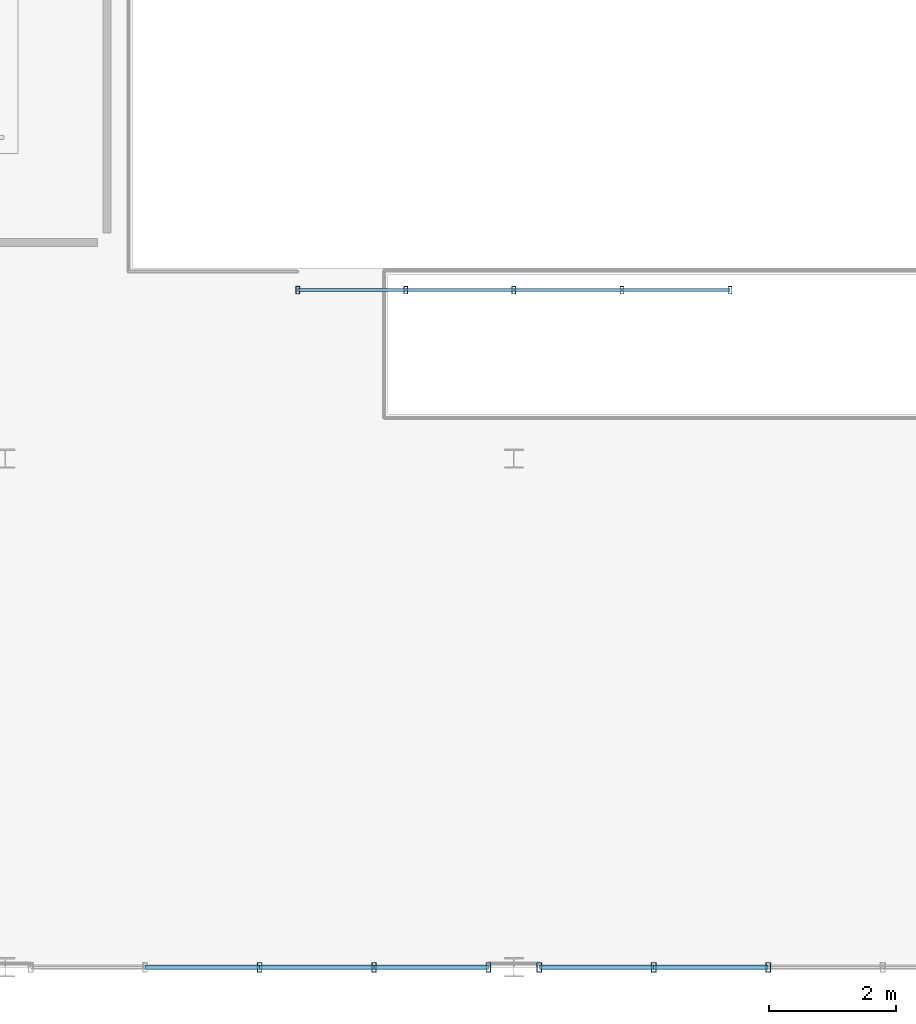
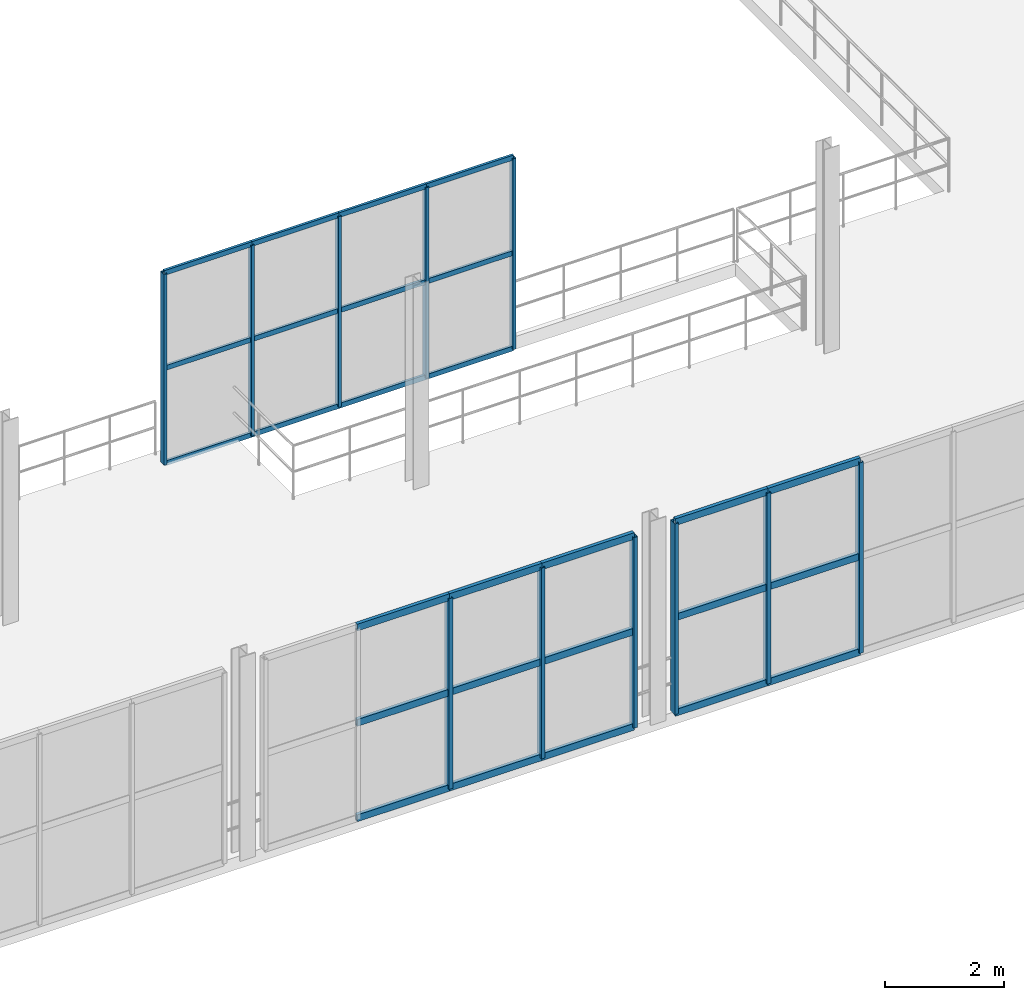
# One storey, part 13 of 67: 38 members, 3 elements without a shape of their own.
"""IFC4 building model written with IfcOpenShell, lengths in metres."""

from ifc_helpers import new_model, si_unit, direction, frame, origin, origin_2d, place, context, subcontext, project, spatial, hollow_rectangle, extrude, material, material_profile, profile_set, type_object, element, aggregate, save


model = new_model("IFC4")

# Units and contexts
model_context = context("Model", 3, precision=1e-05, world=origin(), true_north=direction((0.0, 1.0)))
body_context = subcontext(model_context, "Body", "Model", "MODEL_VIEW")
ifc_project = project(units=[si_unit("LENGTHUNIT", "METRE"), si_unit("AREAUNIT", "SQUARE_METRE"), si_unit("VOLUMEUNIT", "CUBIC_METRE"), si_unit("PLANEANGLEUNIT", "RADIAN"), si_unit("MASSUNIT", "GRAM", prefix="KILO")], contexts=[model_context])

# Site, building, storey
site_placement = place(None, origin())
site = spatial("IfcSite", under=ifc_project, at=site_placement, CompositionType="ELEMENT")
building_placement = place(site_placement, origin())
building = spatial("IfcBuilding", under=site, at=building_placement, Name="Sundkrona Museum", CompositionType="ELEMENT")
storey_placement = place(building_placement, frame((0.0, 0.0, 21.800048828125)))
storey = spatial("IfcBuildingStorey", under=building, at=storey_placement, Name="L04", CompositionType="ELEMENT", Elevation=21.800048828125)

# Curtain wall, members
ifc_material_1 = material(Name="Unitised Aluminium-Steel and Ceramic-Clad Curtain Walling", Category="steel")
curtain_wall_type_1 = type_object("IfcCurtainWallType", Name="CW-IN-68x36", PredefinedType="NOTDEFINED", material=ifc_material_1)
curtain_wall_1_placement = place(storey_placement, origin())
curtain_wall_1 = element("IfcCurtainWall", 1, at=curtain_wall_1_placement, inside=storey, type_object=curtain_wall_type_1, Name="L04 Curtain Wall CW-L04-092", PredefinedType="NOTDEFINED")
ifc_material_2 = material(Name="Aluminium EN AW-6060 T66", Category="aluminium")
ifc_material_profile_1 = material_profile(ifc_material_2, hollow_rectangle(XDim=0.06005859375, YDim=0.1201171875, WallThickness=0.0048828125, at=origin_2d()), Name="RHS 120x60x5.0")
ifc_profile_set_1 = profile_set([ifc_material_profile_1], Name="Aluminium EN AW-6060 T66")
member_type_1 = type_object("IfcMemberType", Name="ML-120", PredefinedType="MULLION", material=ifc_profile_set_1)
member_1_placement = place(storey_placement, frame((92.60009765625, 10.64990234375, -0.004150390625), z_axis=(0.0, 0.0, 1.0), x_axis=(1.0, 0.0, 0.0)))
member_1 = element("IfcMember", 2, at=member_1_placement, type_object=member_type_1, Name="CW-L04-092 Mullion 01", PredefinedType="MULLION", context=body_context, shape_type="SweptSolid", body=[
    extrude(hollow_rectangle(XDim=0.06005859375, YDim=0.1201171875, WallThickness=0.0048828125, at=origin_2d()), origin(), (0.0, 0.0, 1.0), 3.92822265625),
])
member_2_placement = place(storey_placement, frame((94.300048828125, 10.64990234375, -0.004150390625), z_axis=(0.0, 0.0, 1.0), x_axis=(1.0, 0.0, 0.0)))
member_2 = element("IfcMember", 3, at=member_2_placement, type_object=member_type_1, Name="CW-L04-092 Mullion 02", PredefinedType="MULLION", context=body_context, shape_type="SweptSolid", body=[
    extrude(hollow_rectangle(XDim=0.06005859375, YDim=0.1201171875, WallThickness=0.0048828125, at=origin_2d()), origin(), (0.0, 0.0, 1.0), 3.92822265625),
])
member_3_placement = place(storey_placement, frame((96.0, 10.64990234375, -0.004150390625), z_axis=(0.0, 0.0, 1.0), x_axis=(1.0, 0.0, 0.0)))
member_3 = element("IfcMember", 4, at=member_3_placement, type_object=member_type_1, Name="CW-L04-092 Mullion 03", PredefinedType="MULLION", context=body_context, shape_type="SweptSolid", body=[
    extrude(hollow_rectangle(XDim=0.06005859375, YDim=0.1201171875, WallThickness=0.0048828125, at=origin_2d()), origin(), (0.0, 0.0, 1.0), 3.92822265625),
])
member_4_placement = place(storey_placement, frame((97.699951171875, 10.64990234375, -0.004150390625), z_axis=(0.0, 0.0, 1.0), x_axis=(1.0, 0.0, 0.0)))
member_4 = element("IfcMember", 5, at=member_4_placement, type_object=member_type_1, Name="CW-L04-092 Mullion 04", PredefinedType="MULLION", context=body_context, shape_type="SweptSolid", body=[
    extrude(hollow_rectangle(XDim=0.06005859375, YDim=0.1201171875, WallThickness=0.0048828125, at=origin_2d()), origin(), (0.0, 0.0, 1.0), 3.92822265625),
])
member_5_placement = place(storey_placement, frame((99.39990234375, 10.64990234375, -0.004150390625), z_axis=(0.0, 0.0, 1.0), x_axis=(1.0, 0.0, 0.0)))
member_5 = element("IfcMember", 6, at=member_5_placement, type_object=member_type_1, Name="CW-L04-092 Mullion 05", PredefinedType="MULLION", context=body_context, shape_type="SweptSolid", body=[
    extrude(hollow_rectangle(XDim=0.06005859375, YDim=0.1201171875, WallThickness=0.0048828125, at=origin_2d()), origin(), (0.0, 0.0, 1.0), 3.92822265625),
])

curtain_wall_type_2 = type_object("IfcCurtainWallType", Name="CW-AT-72x38", PredefinedType="NOTDEFINED", material=ifc_material_1)
curtain_wall_2_placement = place(storey_placement, origin())
curtain_wall_2 = element("IfcCurtainWall", 7, at=curtain_wall_2_placement, inside=storey, type_object=curtain_wall_type_2, Name="L04 Curtain Wall CW-L04-078", PredefinedType="NOTDEFINED")
ifc_material_profile_2 = material_profile(ifc_material_2, hollow_rectangle(XDim=0.074951171875, YDim=0.14990234375, WallThickness=0.00634765625, at=origin_2d()), Name="RHS 150x75x6.3")
ifc_profile_set_2 = profile_set([ifc_material_profile_2], Name="Aluminium EN AW-6060 T66")
member_type_2 = type_object("IfcMemberType", Name="ML-150", PredefinedType="MULLION", material=ifc_profile_set_2)
member_6_placement = place(storey_placement, frame((92.0, 0.0, -0.004150390625), z_axis=(0.0, 0.0, 1.0), x_axis=(1.0, 0.0, 0.0)))
member_6 = element("IfcMember", 8, at=member_6_placement, type_object=member_type_2, Name="CW-L04-078 Mullion 03", PredefinedType="MULLION", context=body_context, shape_type="SweptSolid", body=[
    extrude(hollow_rectangle(XDim=0.074951171875, YDim=0.14990234375, WallThickness=0.00634765625, at=origin_2d()), origin(), (0.0, 0.0, 1.0), 3.92822265625),
])
member_7_placement = place(storey_placement, frame((93.800048828125, 0.0, -0.004150390625), z_axis=(0.0, 0.0, 1.0), x_axis=(1.0, 0.0, 0.0)))
member_7 = element("IfcMember", 9, at=member_7_placement, type_object=member_type_2, Name="CW-L04-078 Mullion 04", PredefinedType="MULLION", context=body_context, shape_type="SweptSolid", body=[
    extrude(hollow_rectangle(XDim=0.074951171875, YDim=0.14990234375, WallThickness=0.00634765625, at=origin_2d()), origin(), (0.0, 0.0, 1.0), 3.92822265625),
])
member_8_placement = place(storey_placement, frame((95.60009765625, 0.0, -0.004150390625), z_axis=(0.0, 0.0, 1.0), x_axis=(1.0, 0.0, 0.0)))
member_8 = element("IfcMember", 10, at=member_8_placement, type_object=member_type_2, Name="CW-L04-078 Mullion 05", PredefinedType="MULLION", context=body_context, shape_type="SweptSolid", body=[
    extrude(hollow_rectangle(XDim=0.074951171875, YDim=0.14990234375, WallThickness=0.00634765625, at=origin_2d()), origin(), (0.0, 0.0, 1.0), 3.92822265625),
])

curtain_wall_3_placement = place(storey_placement, origin())
curtain_wall_3 = element("IfcCurtainWall", 11, at=curtain_wall_3_placement, inside=storey, type_object=curtain_wall_type_2, Name="L04 Curtain Wall CW-L04-079", PredefinedType="NOTDEFINED")
member_9_placement = place(storey_placement, frame((96.39990234375, 0.0, -0.004150390625), z_axis=(0.0, 0.0, 1.0), x_axis=(1.0, 0.0, 0.0)))
member_9 = element("IfcMember", 12, at=member_9_placement, type_object=member_type_2, Name="CW-L04-079 Mullion 01", PredefinedType="MULLION", context=body_context, shape_type="SweptSolid", body=[
    extrude(hollow_rectangle(XDim=0.074951171875, YDim=0.14990234375, WallThickness=0.00634765625, at=origin_2d()), origin(), (0.0, 0.0, 1.0), 3.92822265625),
])
member_10_placement = place(storey_placement, frame((98.199951171875, 0.0, -0.004150390625), z_axis=(0.0, 0.0, 1.0), x_axis=(1.0, 0.0, 0.0)))
member_10 = element("IfcMember", 13, at=member_10_placement, type_object=member_type_2, Name="CW-L04-079 Mullion 02", PredefinedType="MULLION", context=body_context, shape_type="SweptSolid", body=[
    extrude(hollow_rectangle(XDim=0.074951171875, YDim=0.14990234375, WallThickness=0.00634765625, at=origin_2d()), origin(), (0.0, 0.0, 1.0), 3.92822265625),
])
member_11_placement = place(storey_placement, frame((100.0, 0.0, -0.004150390625), z_axis=(0.0, 0.0, 1.0), x_axis=(1.0, 0.0, 0.0)))
member_11 = element("IfcMember", 14, at=member_11_placement, type_object=member_type_2, Name="CW-L04-079 Mullion 03", PredefinedType="MULLION", context=body_context, shape_type="SweptSolid", body=[
    extrude(hollow_rectangle(XDim=0.074951171875, YDim=0.14990234375, WallThickness=0.00634765625, at=origin_2d()), origin(), (0.0, 0.0, 1.0), 3.92822265625),
])

# Member
ifc_material_profile_3 = material_profile(ifc_material_2, hollow_rectangle(XDim=0.050048828125, YDim=0.10009765625, WallThickness=0.0048828125, at=origin_2d()), Name="RHS 100x50x5.0")
ifc_profile_set_3 = profile_set([ifc_material_profile_3], Name="Aluminium EN AW-6060 T66")
member_type_3 = type_object("IfcMemberType", Name="TR-100", PredefinedType="USERDEFINED", material=ifc_profile_set_3)
member_12_placement = place(storey_placement, frame((92.60009765625, 10.64990234375, -0.004150390625), z_axis=(1.0, 0.0, 0.0), x_axis=(0.0, 1.0, 0.0)))
member_12 = element("IfcMember", 15, at=member_12_placement, type_object=member_type_3, Name="CW-L04-092 Transom 01", ObjectType="TRANSOM", PredefinedType="USERDEFINED", context=body_context, shape_type="SweptSolid", body=[
    extrude(hollow_rectangle(XDim=0.050048828125, YDim=0.10009765625, WallThickness=0.0048828125, at=origin_2d()), origin(), (0.0, 0.0, 1.0), 1.699951171875),
])

member_13_placement = place(storey_placement, frame((92.60009765625, 10.64990234375, 1.9599609375), z_axis=(1.0, 0.0, 0.0), x_axis=(0.0, 1.0, 0.0)))
member_13 = element("IfcMember", 16, at=member_13_placement, type_object=member_type_3, Name="CW-L04-092 Transom 02", ObjectType="TRANSOM", PredefinedType="USERDEFINED", context=body_context, shape_type="SweptSolid", body=[
    extrude(hollow_rectangle(XDim=0.050048828125, YDim=0.10009765625, WallThickness=0.0048828125, at=origin_2d()), origin(), (0.0, 0.0, 1.0), 1.699951171875),
])

member_14_placement = place(storey_placement, frame((92.60009765625, 10.64990234375, 3.924072265625), z_axis=(1.0, 0.0, 0.0), x_axis=(0.0, 1.0, 0.0)))
member_14 = element("IfcMember", 17, at=member_14_placement, type_object=member_type_3, Name="CW-L04-092 Transom 03", ObjectType="TRANSOM", PredefinedType="USERDEFINED", context=body_context, shape_type="SweptSolid", body=[
    extrude(hollow_rectangle(XDim=0.050048828125, YDim=0.10009765625, WallThickness=0.0048828125, at=origin_2d()), origin(), (0.0, 0.0, 1.0), 1.699951171875),
])

member_15_placement = place(storey_placement, frame((94.300048828125, 10.64990234375, -0.004150390625), z_axis=(1.0, 0.0, 0.0), x_axis=(0.0, 1.0, 0.0)))
member_15 = element("IfcMember", 18, at=member_15_placement, type_object=member_type_3, Name="CW-L04-092 Transom 04", ObjectType="TRANSOM", PredefinedType="USERDEFINED", context=body_context, shape_type="SweptSolid", body=[
    extrude(hollow_rectangle(XDim=0.050048828125, YDim=0.10009765625, WallThickness=0.0048828125, at=origin_2d()), origin(), (0.0, 0.0, 1.0), 1.699951171875),
])

member_16_placement = place(storey_placement, frame((94.300048828125, 10.64990234375, 1.9599609375), z_axis=(1.0, 0.0, 0.0), x_axis=(0.0, 1.0, 0.0)))
member_16 = element("IfcMember", 19, at=member_16_placement, type_object=member_type_3, Name="CW-L04-092 Transom 05", ObjectType="TRANSOM", PredefinedType="USERDEFINED", context=body_context, shape_type="SweptSolid", body=[
    extrude(hollow_rectangle(XDim=0.050048828125, YDim=0.10009765625, WallThickness=0.0048828125, at=origin_2d()), origin(), (0.0, 0.0, 1.0), 1.699951171875),
])

member_17_placement = place(storey_placement, frame((94.300048828125, 10.64990234375, 3.924072265625), z_axis=(1.0, 0.0, 0.0), x_axis=(0.0, 1.0, 0.0)))
member_17 = element("IfcMember", 20, at=member_17_placement, type_object=member_type_3, Name="CW-L04-092 Transom 06", ObjectType="TRANSOM", PredefinedType="USERDEFINED", context=body_context, shape_type="SweptSolid", body=[
    extrude(hollow_rectangle(XDim=0.050048828125, YDim=0.10009765625, WallThickness=0.0048828125, at=origin_2d()), origin(), (0.0, 0.0, 1.0), 1.699951171875),
])

member_18_placement = place(storey_placement, frame((96.0, 10.64990234375, -0.004150390625), z_axis=(1.0, 0.0, 0.0), x_axis=(0.0, 1.0, 0.0)))
member_18 = element("IfcMember", 21, at=member_18_placement, type_object=member_type_3, Name="CW-L04-092 Transom 07", ObjectType="TRANSOM", PredefinedType="USERDEFINED", context=body_context, shape_type="SweptSolid", body=[
    extrude(hollow_rectangle(XDim=0.050048828125, YDim=0.10009765625, WallThickness=0.0048828125, at=origin_2d()), origin(), (0.0, 0.0, 1.0), 1.699951171875),
])

member_19_placement = place(storey_placement, frame((96.0, 10.64990234375, 1.9599609375), z_axis=(1.0, 0.0, 0.0), x_axis=(0.0, 1.0, 0.0)))
member_19 = element("IfcMember", 22, at=member_19_placement, type_object=member_type_3, Name="CW-L04-092 Transom 08", ObjectType="TRANSOM", PredefinedType="USERDEFINED", context=body_context, shape_type="SweptSolid", body=[
    extrude(hollow_rectangle(XDim=0.050048828125, YDim=0.10009765625, WallThickness=0.0048828125, at=origin_2d()), origin(), (0.0, 0.0, 1.0), 1.699951171875),
])

member_20_placement = place(storey_placement, frame((96.0, 10.64990234375, 3.924072265625), z_axis=(1.0, 0.0, 0.0), x_axis=(0.0, 1.0, 0.0)))
member_20 = element("IfcMember", 23, at=member_20_placement, type_object=member_type_3, Name="CW-L04-092 Transom 09", ObjectType="TRANSOM", PredefinedType="USERDEFINED", context=body_context, shape_type="SweptSolid", body=[
    extrude(hollow_rectangle(XDim=0.050048828125, YDim=0.10009765625, WallThickness=0.0048828125, at=origin_2d()), origin(), (0.0, 0.0, 1.0), 1.699951171875),
])

member_21_placement = place(storey_placement, frame((97.699951171875, 10.64990234375, -0.004150390625), z_axis=(1.0, 0.0, 0.0), x_axis=(0.0, 1.0, 0.0)))
member_21 = element("IfcMember", 24, at=member_21_placement, type_object=member_type_3, Name="CW-L04-092 Transom 10", ObjectType="TRANSOM", PredefinedType="USERDEFINED", context=body_context, shape_type="SweptSolid", body=[
    extrude(hollow_rectangle(XDim=0.050048828125, YDim=0.10009765625, WallThickness=0.0048828125, at=origin_2d()), origin(), (0.0, 0.0, 1.0), 1.699951171875),
])

member_22_placement = place(storey_placement, frame((97.699951171875, 10.64990234375, 1.9599609375), z_axis=(1.0, 0.0, 0.0), x_axis=(0.0, 1.0, 0.0)))
member_22 = element("IfcMember", 25, at=member_22_placement, type_object=member_type_3, Name="CW-L04-092 Transom 11", ObjectType="TRANSOM", PredefinedType="USERDEFINED", context=body_context, shape_type="SweptSolid", body=[
    extrude(hollow_rectangle(XDim=0.050048828125, YDim=0.10009765625, WallThickness=0.0048828125, at=origin_2d()), origin(), (0.0, 0.0, 1.0), 1.699951171875),
])

member_23_placement = place(storey_placement, frame((97.699951171875, 10.64990234375, 3.924072265625), z_axis=(1.0, 0.0, 0.0), x_axis=(0.0, 1.0, 0.0)))
member_23 = element("IfcMember", 26, at=member_23_placement, type_object=member_type_3, Name="CW-L04-092 Transom 12", ObjectType="TRANSOM", PredefinedType="USERDEFINED", context=body_context, shape_type="SweptSolid", body=[
    extrude(hollow_rectangle(XDim=0.050048828125, YDim=0.10009765625, WallThickness=0.0048828125, at=origin_2d()), origin(), (0.0, 0.0, 1.0), 1.699951171875),
])

aggregate(curtain_wall_1, [member_1, member_2, member_3, member_4, member_5, member_12, member_13, member_14, member_15, member_16, member_17, member_18, member_19, member_20, member_21, member_22, member_23])

ifc_material_profile_4 = material_profile(ifc_material_2, hollow_rectangle(XDim=0.070068359375, YDim=0.139892578125, WallThickness=0.0048828125, at=origin_2d()), Name="RHS 140x70x5.0")
ifc_profile_set_4 = profile_set([ifc_material_profile_4], Name="Aluminium EN AW-6060 T66")
member_type_4 = type_object("IfcMemberType", Name="TR-140", PredefinedType="USERDEFINED", material=ifc_profile_set_4)
member_24_placement = place(storey_placement, frame((90.199951171875, 0.0, -0.004150390625), z_axis=(1.0, 0.0, 0.0), x_axis=(0.0, 1.0, 0.0)))
member_24 = element("IfcMember", 27, at=member_24_placement, type_object=member_type_4, Name="CW-L04-078 Transom 04", ObjectType="TRANSOM", PredefinedType="USERDEFINED", context=body_context, shape_type="SweptSolid", body=[
    extrude(hollow_rectangle(XDim=0.070068359375, YDim=0.139892578125, WallThickness=0.0048828125, at=origin_2d()), origin(), (0.0, 0.0, 1.0), 1.800048828125),
])

member_25_placement = place(storey_placement, frame((90.199951171875, 0.0, 1.9599609375), z_axis=(1.0, 0.0, 0.0), x_axis=(0.0, 1.0, 0.0)))
member_25 = element("IfcMember", 28, at=member_25_placement, type_object=member_type_4, Name="CW-L04-078 Transom 05", ObjectType="TRANSOM", PredefinedType="USERDEFINED", context=body_context, shape_type="SweptSolid", body=[
    extrude(hollow_rectangle(XDim=0.070068359375, YDim=0.139892578125, WallThickness=0.0048828125, at=origin_2d()), origin(), (0.0, 0.0, 1.0), 1.800048828125),
])

member_26_placement = place(storey_placement, frame((90.199951171875, 0.0, 3.924072265625), z_axis=(1.0, 0.0, 0.0), x_axis=(0.0, 1.0, 0.0)))
member_26 = element("IfcMember", 29, at=member_26_placement, type_object=member_type_4, Name="CW-L04-078 Transom 06", ObjectType="TRANSOM", PredefinedType="USERDEFINED", context=body_context, shape_type="SweptSolid", body=[
    extrude(hollow_rectangle(XDim=0.070068359375, YDim=0.139892578125, WallThickness=0.0048828125, at=origin_2d()), origin(), (0.0, 0.0, 1.0), 1.800048828125),
])

member_27_placement = place(storey_placement, frame((92.0, 0.0, -0.004150390625), z_axis=(1.0, 0.0, 0.0), x_axis=(0.0, 1.0, 0.0)))
member_27 = element("IfcMember", 30, at=member_27_placement, type_object=member_type_4, Name="CW-L04-078 Transom 07", ObjectType="TRANSOM", PredefinedType="USERDEFINED", context=body_context, shape_type="SweptSolid", body=[
    extrude(hollow_rectangle(XDim=0.070068359375, YDim=0.139892578125, WallThickness=0.0048828125, at=origin_2d()), origin(), (0.0, 0.0, 1.0), 1.800048828125),
])

member_28_placement = place(storey_placement, frame((92.0, 0.0, 1.9599609375), z_axis=(1.0, 0.0, 0.0), x_axis=(0.0, 1.0, 0.0)))
member_28 = element("IfcMember", 31, at=member_28_placement, type_object=member_type_4, Name="CW-L04-078 Transom 08", ObjectType="TRANSOM", PredefinedType="USERDEFINED", context=body_context, shape_type="SweptSolid", body=[
    extrude(hollow_rectangle(XDim=0.070068359375, YDim=0.139892578125, WallThickness=0.0048828125, at=origin_2d()), origin(), (0.0, 0.0, 1.0), 1.800048828125),
])

member_29_placement = place(storey_placement, frame((92.0, 0.0, 3.924072265625), z_axis=(1.0, 0.0, 0.0), x_axis=(0.0, 1.0, 0.0)))
member_29 = element("IfcMember", 32, at=member_29_placement, type_object=member_type_4, Name="CW-L04-078 Transom 09", ObjectType="TRANSOM", PredefinedType="USERDEFINED", context=body_context, shape_type="SweptSolid", body=[
    extrude(hollow_rectangle(XDim=0.070068359375, YDim=0.139892578125, WallThickness=0.0048828125, at=origin_2d()), origin(), (0.0, 0.0, 1.0), 1.800048828125),
])

member_30_placement = place(storey_placement, frame((93.800048828125, 0.0, -0.004150390625), z_axis=(1.0, 0.0, 0.0), x_axis=(0.0, 1.0, 0.0)))
member_30 = element("IfcMember", 33, at=member_30_placement, type_object=member_type_4, Name="CW-L04-078 Transom 10", ObjectType="TRANSOM", PredefinedType="USERDEFINED", context=body_context, shape_type="SweptSolid", body=[
    extrude(hollow_rectangle(XDim=0.070068359375, YDim=0.139892578125, WallThickness=0.0048828125, at=origin_2d()), origin(), (0.0, 0.0, 1.0), 1.800048828125),
])

member_31_placement = place(storey_placement, frame((93.800048828125, 0.0, 1.9599609375), z_axis=(1.0, 0.0, 0.0), x_axis=(0.0, 1.0, 0.0)))
member_31 = element("IfcMember", 34, at=member_31_placement, type_object=member_type_4, Name="CW-L04-078 Transom 11", ObjectType="TRANSOM", PredefinedType="USERDEFINED", context=body_context, shape_type="SweptSolid", body=[
    extrude(hollow_rectangle(XDim=0.070068359375, YDim=0.139892578125, WallThickness=0.0048828125, at=origin_2d()), origin(), (0.0, 0.0, 1.0), 1.800048828125),
])

member_32_placement = place(storey_placement, frame((93.800048828125, 0.0, 3.924072265625), z_axis=(1.0, 0.0, 0.0), x_axis=(0.0, 1.0, 0.0)))
member_32 = element("IfcMember", 35, at=member_32_placement, type_object=member_type_4, Name="CW-L04-078 Transom 12", ObjectType="TRANSOM", PredefinedType="USERDEFINED", context=body_context, shape_type="SweptSolid", body=[
    extrude(hollow_rectangle(XDim=0.070068359375, YDim=0.139892578125, WallThickness=0.0048828125, at=origin_2d()), origin(), (0.0, 0.0, 1.0), 1.800048828125),
])

aggregate(curtain_wall_2, [member_6, member_7, member_8, member_24, member_25, member_26, member_27, member_28, member_29, member_30, member_31, member_32])

member_33_placement = place(storey_placement, frame((96.39990234375, 0.0, -0.004150390625), z_axis=(1.0, 0.0, 0.0), x_axis=(0.0, 1.0, 0.0)))
member_33 = element("IfcMember", 36, at=member_33_placement, type_object=member_type_4, Name="CW-L04-079 Transom 01", ObjectType="TRANSOM", PredefinedType="USERDEFINED", context=body_context, shape_type="SweptSolid", body=[
    extrude(hollow_rectangle(XDim=0.070068359375, YDim=0.139892578125, WallThickness=0.0048828125, at=origin_2d()), origin(), (0.0, 0.0, 1.0), 1.800048828125),
])

member_34_placement = place(storey_placement, frame((96.39990234375, 0.0, 1.9599609375), z_axis=(1.0, 0.0, 0.0), x_axis=(0.0, 1.0, 0.0)))
member_34 = element("IfcMember", 37, at=member_34_placement, type_object=member_type_4, Name="CW-L04-079 Transom 02", ObjectType="TRANSOM", PredefinedType="USERDEFINED", context=body_context, shape_type="SweptSolid", body=[
    extrude(hollow_rectangle(XDim=0.070068359375, YDim=0.139892578125, WallThickness=0.0048828125, at=origin_2d()), origin(), (0.0, 0.0, 1.0), 1.800048828125),
])

member_35_placement = place(storey_placement, frame((96.39990234375, 0.0, 3.924072265625), z_axis=(1.0, 0.0, 0.0), x_axis=(0.0, 1.0, 0.0)))
member_35 = element("IfcMember", 38, at=member_35_placement, type_object=member_type_4, Name="CW-L04-079 Transom 03", ObjectType="TRANSOM", PredefinedType="USERDEFINED", context=body_context, shape_type="SweptSolid", body=[
    extrude(hollow_rectangle(XDim=0.070068359375, YDim=0.139892578125, WallThickness=0.0048828125, at=origin_2d()), origin(), (0.0, 0.0, 1.0), 1.800048828125),
])

member_36_placement = place(storey_placement, frame((98.199951171875, 0.0, -0.004150390625), z_axis=(1.0, 0.0, 0.0), x_axis=(0.0, 1.0, 0.0)))
member_36 = element("IfcMember", 39, at=member_36_placement, type_object=member_type_4, Name="CW-L04-079 Transom 04", ObjectType="TRANSOM", PredefinedType="USERDEFINED", context=body_context, shape_type="SweptSolid", body=[
    extrude(hollow_rectangle(XDim=0.070068359375, YDim=0.139892578125, WallThickness=0.0048828125, at=origin_2d()), origin(), (0.0, 0.0, 1.0), 1.800048828125),
])

member_37_placement = place(storey_placement, frame((98.199951171875, 0.0, 1.9599609375), z_axis=(1.0, 0.0, 0.0), x_axis=(0.0, 1.0, 0.0)))
member_37 = element("IfcMember", 40, at=member_37_placement, type_object=member_type_4, Name="CW-L04-079 Transom 05", ObjectType="TRANSOM", PredefinedType="USERDEFINED", context=body_context, shape_type="SweptSolid", body=[
    extrude(hollow_rectangle(XDim=0.070068359375, YDim=0.139892578125, WallThickness=0.0048828125, at=origin_2d()), origin(), (0.0, 0.0, 1.0), 1.800048828125),
])

member_38_placement = place(storey_placement, frame((98.199951171875, 0.0, 3.924072265625), z_axis=(1.0, 0.0, 0.0), x_axis=(0.0, 1.0, 0.0)))
member_38 = element("IfcMember", 41, at=member_38_placement, type_object=member_type_4, Name="CW-L04-079 Transom 06", ObjectType="TRANSOM", PredefinedType="USERDEFINED", context=body_context, shape_type="SweptSolid", body=[
    extrude(hollow_rectangle(XDim=0.070068359375, YDim=0.139892578125, WallThickness=0.0048828125, at=origin_2d()), origin(), (0.0, 0.0, 1.0), 1.800048828125),
])

aggregate(curtain_wall_3, [member_9, member_10, member_11, member_33, member_34, member_35, member_36, member_37, member_38])

save(model, "model.ifc")
